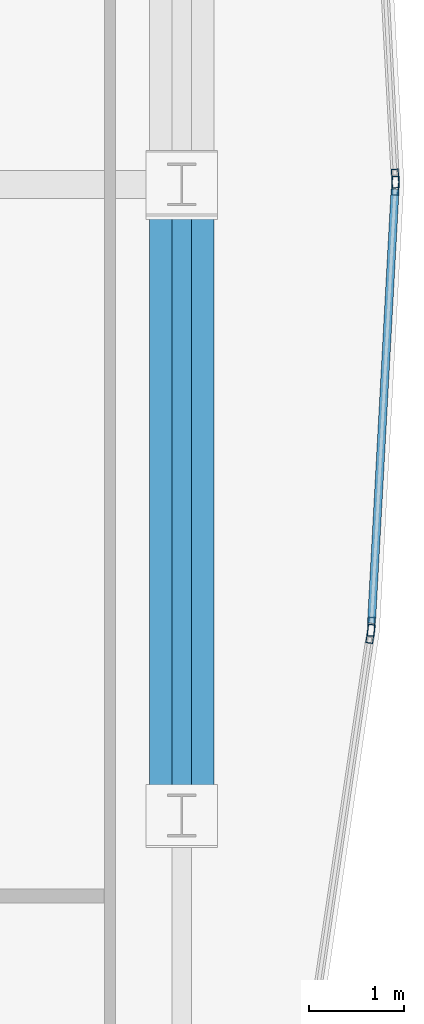
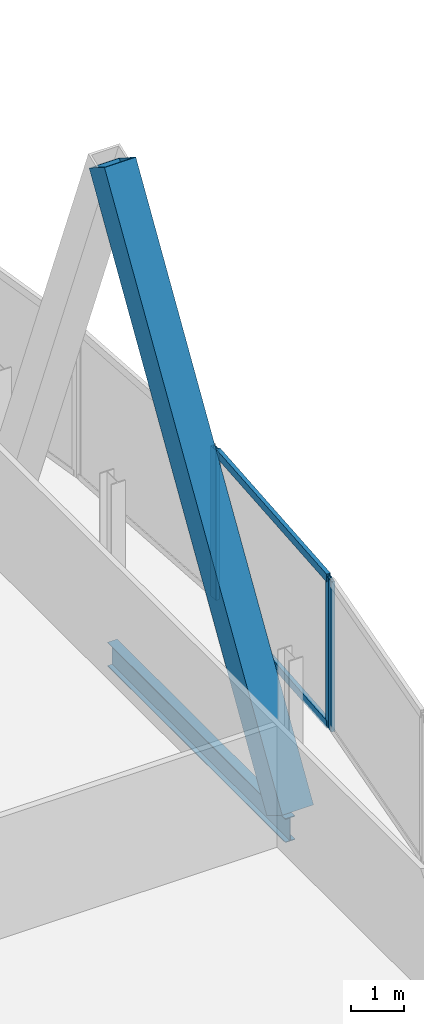
# One storey, part 18 of 31: 7 members, 1 beam, 3 elements without a shape of their own.
"""IFC4 building model written with IfcOpenShell, lengths in metres."""

from ifc_helpers import new_model, si_unit, direction, frame, origin, origin_2d, place, context, subcontext, project, spatial, hollow_rectangle, i_section, extrude, material, material_profile, profile_set, type_object, element, aggregate, save


model = new_model("IFC4")

# Units and contexts
model_context = context("Model", 3, precision=1e-05, world=origin(), true_north=direction((0.0, 1.0)))
body_context = subcontext(model_context, "Body", "Model", "MODEL_VIEW")
ifc_project = project(units=[si_unit("LENGTHUNIT", "METRE"), si_unit("AREAUNIT", "SQUARE_METRE"), si_unit("VOLUMEUNIT", "CUBIC_METRE"), si_unit("PLANEANGLEUNIT", "RADIAN"), si_unit("MASSUNIT", "GRAM", prefix="KILO")], contexts=[model_context])

# Site, building, storey
site_placement = place(None, origin())
site = spatial("IfcSite", under=ifc_project, at=site_placement, CompositionType="ELEMENT")
building_placement = place(site_placement, origin())
building = spatial("IfcBuilding", under=site, at=building_placement, Name="Khoronbel Lancet Exchange", CompositionType="ELEMENT")
storey_placement = place(building_placement, frame((0.0, 0.0, 273.39990234375)))
storey = spatial("IfcBuildingStorey", under=building, at=storey_placement, Name="L70", CompositionType="ELEMENT", Elevation=273.39990234375)

# Beam
ifc_material_1 = material(Name="Steel S355", Category="steel")
ifc_material_profile_1 = material_profile(ifc_material_1, i_section(OverallWidth=0.2099609375, OverallDepth=0.550048828125, WebThickness=0.010986328125, FlangeThickness=0.01708984375, at=origin_2d()), Name="IPE 550")
ifc_profile_set_1 = profile_set([ifc_material_profile_1], Name="Steel S355")
beam_type = type_object("IfcBeamType", Name="BM-BSP3", PredefinedType="SPANDREL", material=ifc_profile_set_1)
beam_placement = place(storey_placement, frame((63.6298828125, 24.75, -0.434814453125), z_axis=(0.0, 1.0, 0.0), x_axis=(-1.0, 0.0, 0.0)))
element("IfcBeam", 1, at=beam_placement, inside=storey, type_object=beam_type, Name="Level L70 perimeter spandrel beam SP12", PredefinedType="SPANDREL", context=body_context, shape_type="SweptSolid", body=[
    extrude(i_section(OverallWidth=0.2099609375, OverallDepth=0.550048828125, WebThickness=0.010986328125, FlangeThickness=0.01708984375, at=origin_2d()), origin(), (0.0, 0.0, 1.0), 6.675048828125),
])

# Curtain wall, member
ifc_material_2 = material(Name="Low-E Solar Control Insulating Glass", Category="glass")
curtain_wall_type = type_object("IfcCurtainWallType", Name="CW-4", PredefinedType="NOTDEFINED", material=ifc_material_2)
curtain_wall_1_placement = place(storey_placement, origin())
curtain_wall_1 = element("IfcCurtainWall", 2, at=curtain_wall_1_placement, inside=storey, type_object=curtain_wall_type, Name="Unitised curtain wall CW-L70-E19", PredefinedType="NOTDEFINED")
ifc_material_3 = material(Name="Bronze-Anodised Aluminium 6063-T6", Category="aluminium")
ifc_material_profile_2 = material_profile(ifc_material_3, hollow_rectangle(XDim=0.074951171875, YDim=0.199951171875, WallThickness=0.0048828125, at=origin_2d()), Name="ALU MULLION 75x200")
ifc_profile_set_2 = profile_set([ifc_material_profile_2], Name="Bronze-Anodised Aluminium 6063-T6")
member_type_1 = type_object("IfcMemberType", Name="MEM-CWM2", PredefinedType="MULLION", material=ifc_profile_set_2)
member_1_placement = place(storey_placement, frame((65.88818359375, 31.487548828125, 0.0), z_axis=(0.0, 0.0, 1.0), x_axis=(0.998521367155, 0.05436064141, 0.0)))
member_1 = element("IfcMember", 3, at=member_1_placement, type_object=member_type_1, Name="CW4 mullion 2", PredefinedType="MULLION", context=body_context, shape_type="SweptSolid", body=[
    extrude(hollow_rectangle(XDim=0.074951171875, YDim=0.199951171875, WallThickness=0.0048828125, at=origin_2d()), origin(), (0.0, 0.0, 1.0), 3.440185546875),
])
aggregate(curtain_wall_1, [member_1])

# Curtain wall, members
curtain_wall_2_placement = place(storey_placement, origin())
curtain_wall_2 = element("IfcCurtainWall", 4, at=curtain_wall_2_placement, inside=storey, type_object=curtain_wall_type, Name="Unitised curtain wall CW-L70-E20", PredefinedType="NOTDEFINED")
member_2_placement = place(storey_placement, frame((65.88818359375, 31.41259765625, 0.0), z_axis=(0.0, 0.0, 1.0), x_axis=(0.998521367155, -0.05436064141, 0.0)))
member_2 = element("IfcMember", 5, at=member_2_placement, type_object=member_type_1, Name="CW4 mullion 1", PredefinedType="MULLION", context=body_context, shape_type="SweptSolid", body=[
    extrude(hollow_rectangle(XDim=0.074951171875, YDim=0.199951171875, WallThickness=0.0048828125, at=origin_2d()), origin(), (0.0, 0.0, 1.0), 3.440185546875),
])
member_3_placement = place(storey_placement, frame((65.63427734375, 26.74658203125, 0.0), z_axis=(0.0, 0.0, 1.0), x_axis=(0.998521367155, -0.05436064141, 0.0)))
member_3 = element("IfcMember", 6, at=member_3_placement, type_object=member_type_1, Name="CW4 mullion 2", PredefinedType="MULLION", context=body_context, shape_type="SweptSolid", body=[
    extrude(hollow_rectangle(XDim=0.074951171875, YDim=0.199951171875, WallThickness=0.0048828125, at=origin_2d()), origin(), (0.0, 0.0, 1.0), 3.440185546875),
])

# Curtain wall, member
curtain_wall_3_placement = place(storey_placement, origin())
curtain_wall_3 = element("IfcCurtainWall", 7, at=curtain_wall_3_placement, inside=storey, type_object=curtain_wall_type, Name="Unitised curtain wall CW-L70-E21", PredefinedType="NOTDEFINED")
member_4_placement = place(storey_placement, frame((65.626708984375, 26.672119140625, 0.0), z_axis=(0.0, 0.0, 1.0), x_axis=(0.989113824461, -0.147152445645, 0.0)))
member_4 = element("IfcMember", 8, at=member_4_placement, type_object=member_type_1, Name="CW4 mullion 1", PredefinedType="MULLION", context=body_context, shape_type="SweptSolid", body=[
    extrude(hollow_rectangle(XDim=0.074951171875, YDim=0.199951171875, WallThickness=0.0048828125, at=origin_2d()), origin(), (0.0, 0.0, 1.0), 3.440185546875),
])
aggregate(curtain_wall_3, [member_4])

# Member
ifc_material_profile_3 = material_profile(ifc_material_3, hollow_rectangle(XDim=0.0849609375, YDim=0.179931640625, WallThickness=0.0048828125, at=origin_2d()), Name="ALU TRANSOM 85x180")
ifc_profile_set_3 = profile_set([ifc_material_profile_3], Name="Bronze-Anodised Aluminium 6063-T6")
member_type_2 = type_object("IfcMemberType", Name="MEM-CWT1", PredefinedType="USERDEFINED", material=ifc_profile_set_3)
member_5_placement = place(storey_placement, frame((65.88623046875, 31.375, 0.04248046875), z_axis=(-0.054373049093, -0.998520691589, 0.0), x_axis=(0.998520691589, -0.054373049093, 0.0)))
member_5 = element("IfcMember", 9, at=member_5_placement, type_object=member_type_2, Name="CW4 transom 1.1", ObjectType="TRANSOM", PredefinedType="USERDEFINED", context=body_context, shape_type="SweptSolid", body=[
    extrude(hollow_rectangle(XDim=0.0849609375, YDim=0.179931640625, WallThickness=0.0048828125, at=origin_2d()), origin(), (0.0, 0.0, 1.0), 4.597900390625),
])

member_6_placement = place(storey_placement, frame((65.88623046875, 31.375, 3.397705078125), z_axis=(-0.054373049093, -0.998520691589, 0.0), x_axis=(0.998520691589, -0.054373049093, 0.0)))
member_6 = element("IfcMember", 10, at=member_6_placement, type_object=member_type_2, Name="CW4 transom 1.2", ObjectType="TRANSOM", PredefinedType="USERDEFINED", context=body_context, shape_type="SweptSolid", body=[
    extrude(hollow_rectangle(XDim=0.0849609375, YDim=0.179931640625, WallThickness=0.0048828125, at=origin_2d()), origin(), (0.0, 0.0, 1.0), 4.597900390625),
])

aggregate(curtain_wall_2, [member_2, member_3, member_5, member_6])

ifc_material_4 = material(Name="Steel S460", Category="steel")
ifc_material_profile_4 = material_profile(ifc_material_4, hollow_rectangle(XDim=0.679931640625, YDim=0.679931640625, WallThickness=0.044921875, at=origin_2d()), Name="BOX 680x680x45")
ifc_profile_set_4 = profile_set([ifc_material_profile_4], Name="Steel S460")
member_type_3 = type_object("IfcMemberType", Name="MEM-MB3", PredefinedType="BRACE", material=ifc_profile_set_4)
member_7_placement = place(storey_placement, frame((63.6298828125, 24.75, 0.0), z_axis=(0.0, 0.525745449971, 0.850641946906), x_axis=(-1.0, 0.0, 0.0)))
element("IfcMember", 11, at=member_7_placement, inside=storey, type_object=member_type_3, Name="Perimeter lancet brace tier 24 E-P-L", PredefinedType="BRACE", context=body_context, shape_type="SweptSolid", body=[
    extrude(hollow_rectangle(XDim=0.679931640625, YDim=0.679931640625, WallThickness=0.044921875, at=origin_2d()), origin(), (0.0, 0.0, 1.0), 12.6962890625),
])

save(model, "model.ifc")
